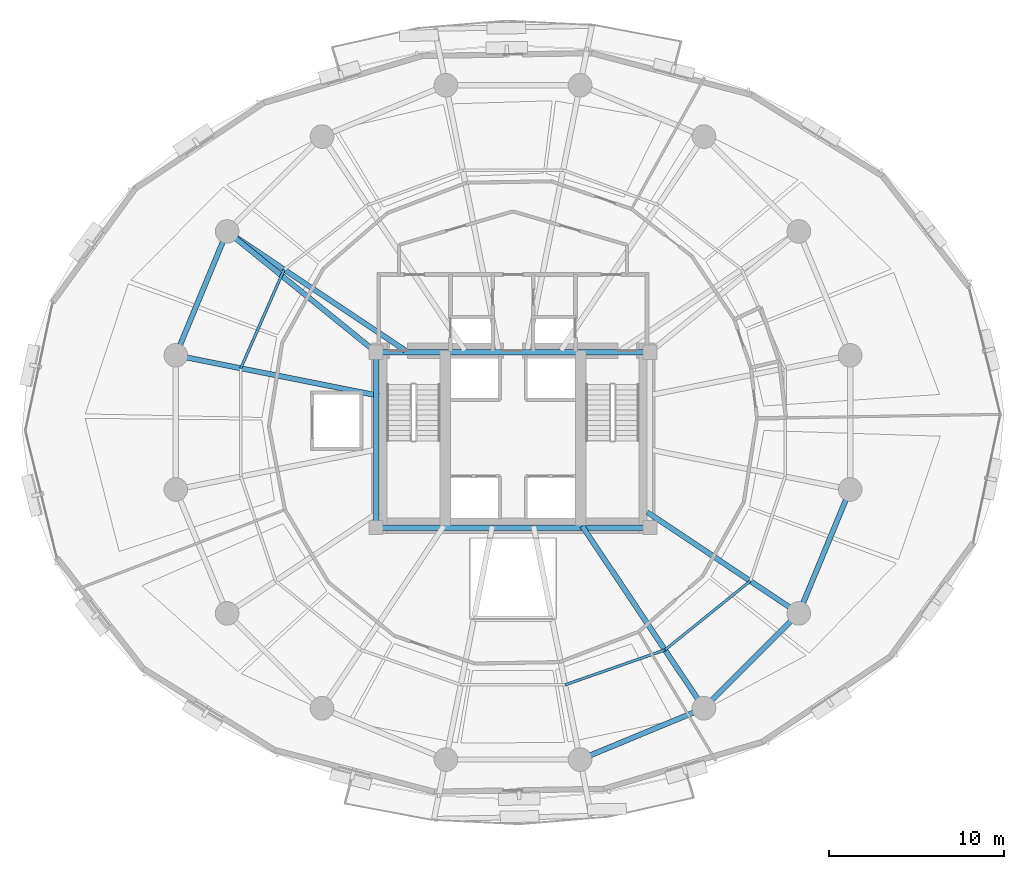
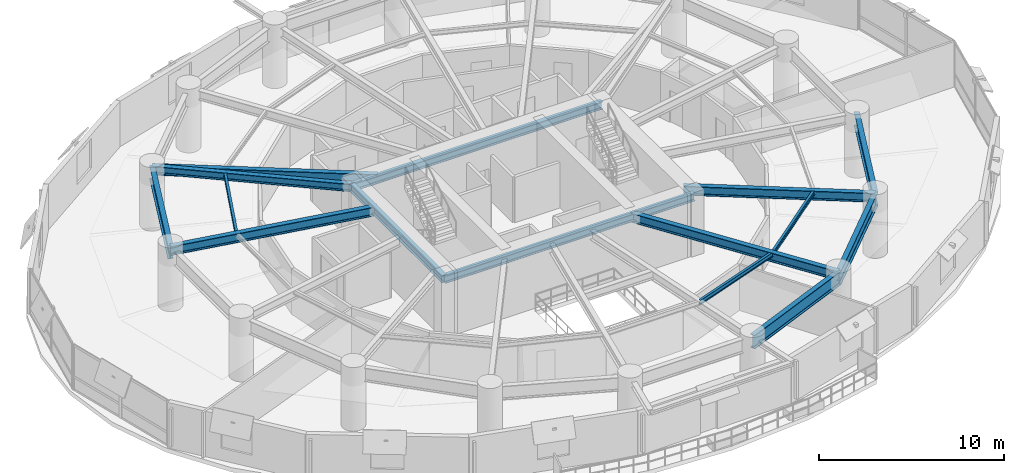
# One storey, part 7 of 17: 15 beams.
"""IFC4 building model written with IfcOpenShell, lengths in metres."""

from ifc_helpers import new_model, si_unit, direction, frame, origin, origin_2d, place, context, subcontext, project, spatial, i_section, extrude, material, material_profile, profile_set, type_object, element, save


model = new_model("IFC4")

# Units and contexts
model_context = context("Model", 3, precision=1e-05, world=origin(), true_north=direction((0.0, 1.0)))
body_context = subcontext(model_context, "Body", "Model", "MODEL_VIEW")
ifc_project = project(units=[si_unit("LENGTHUNIT", "METRE"), si_unit("AREAUNIT", "SQUARE_METRE"), si_unit("VOLUMEUNIT", "CUBIC_METRE"), si_unit("PLANEANGLEUNIT", "RADIAN"), si_unit("MASSUNIT", "GRAM", prefix="KILO"), si_unit("THERMODYNAMICTEMPERATUREUNIT", "KELVIN"), si_unit("POWERUNIT", "WATT")], contexts=[model_context])

# Site, building, storey
site_placement = place(None, origin())
site = spatial("IfcSite", under=ifc_project, at=site_placement, CompositionType="ELEMENT")
building_placement = place(site_placement, origin())
building = spatial("IfcBuilding", under=site, at=building_placement, Name="Ocrelia Relay Tower", CompositionType="ELEMENT")
storey_placement = place(building_placement, frame((0.0, 0.0, 34.199951171875)))
storey = spatial("IfcBuildingStorey", under=building, at=storey_placement, Name="L07", CompositionType="ELEMENT", Elevation=34.199951171875)

# Beams
ifc_material = material(Name="Steel S355", Category="steel")
ifc_material_profile_1 = material_profile(ifc_material, i_section(OverallWidth=0.300048828125, OverallDepth=0.5, WebThickness=0.014404296875, FlangeThickness=0.028076171875, FilletRadius=0.027099609375, at=origin_2d()), Name="HEB 500")
ifc_profile_set_1 = profile_set([ifc_material_profile_1], Name="Steel S355")
beam_type_1 = type_object("IfcBeamType", Name="BM-HEB500", PredefinedType="BEAM", material=ifc_profile_set_1)
for number, where, z_axis, x_axis, name in (
    (1, (26.199951171875, 20.0, 3.670166015625), (1.0, 0.0, 0.0), (0.0, 1.0, 0.0), "L07 Core Pilaster Tie Beam S"),
    (2, (26.199951171875, 30.0, 3.670166015625), (1.0, 0.0, 0.0), (0.0, 1.0, 0.0), "L07 Core Pilaster Tie Beam N"),
):
    element("IfcBeam", number, at=place(storey_placement, frame(where, z_axis=z_axis, x_axis=x_axis)), inside=storey, type_object=beam_type_1, Name=name, PredefinedType="BEAM", context=body_context, shape_type="SweptSolid", body=[
        extrude(i_section(OverallWidth=0.300048828125, OverallDepth=0.5, WebThickness=0.014404296875, FlangeThickness=0.028076171875, FilletRadius=0.027099609375, at=origin_2d()), origin(), (0.0, 0.0, 1.0), 15.60009765625),
    ])
beam_1_placement = place(storey_placement, frame((26.199951171875, 20.0, 3.670166015625), z_axis=(0.0, 1.0, 0.0), x_axis=(-1.0, 0.0, 0.0)))
element("IfcBeam", 3, at=beam_1_placement, inside=storey, type_object=beam_type_1, Name="L07 Core Pilaster Tie Beam W", PredefinedType="BEAM", context=body_context, shape_type="SweptSolid", body=[
    extrude(i_section(OverallWidth=0.300048828125, OverallDepth=0.5, WebThickness=0.014404296875, FlangeThickness=0.028076171875, FilletRadius=0.027099609375, at=origin_2d()), origin(), (0.0, 0.0, 1.0), 10.0),
])
beam_2_placement = place(storey_placement, frame((17.703125, 36.88916015625, 3.670166015625), z_axis=(0.776762830896, -0.629793223637, 0.0), x_axis=(0.629793223637, 0.776762830896, 0.0)))
element("IfcBeam", 4, at=beam_2_placement, inside=storey, type_object=beam_type_1, Name="L07 Core Pilaster Frame Tie Beam PT07", PredefinedType="BEAM", context=body_context, shape_type="SweptSolid", body=[
    extrude(i_section(OverallWidth=0.300048828125, OverallDepth=0.5, WebThickness=0.014404296875, FlangeThickness=0.028076171875, FilletRadius=0.027099609375, at=origin_2d()), origin(), (0.0, 0.0, 1.0), 10.938720703125),
])
ifc_material_profile_2 = material_profile(ifc_material, i_section(OverallWidth=0.300048828125, OverallDepth=0.60009765625, WebThickness=0.015380859375, FlangeThickness=0.030029296875, FilletRadius=0.027099609375, at=origin_2d()), Name="HEB 600")
ifc_profile_set_2 = profile_set([ifc_material_profile_2], Name="Steel S355")
beam_type_2 = type_object("IfcBeamType", Name="BM-HEB600", PredefinedType="BEAM", material=ifc_profile_set_2)
beam_3_placement = place(storey_placement, frame((17.703125, 36.88916015625, 3.6201171875), z_axis=(0.831471581268, -0.555567286243, 0.0), x_axis=(0.555567286243, 0.831471581268, 0.0)))
element("IfcBeam", 5, at=beam_3_placement, inside=storey, type_object=beam_type_2, Name="L07 Radial Floor Girder R07", PredefinedType="BEAM", context=body_context, shape_type="SweptSolid", body=[
    extrude(i_section(OverallWidth=0.300048828125, OverallDepth=0.60009765625, WebThickness=0.015380859375, FlangeThickness=0.030029296875, FilletRadius=0.027099609375, at=origin_2d()), origin(), (0.0, 0.0, 1.0), 12.211181640625),
])
beam_4_placement = place(storey_placement, frame((14.776611328125, 29.82373046875, 3.6201171875), z_axis=(0.980786938484, -0.195081986098, 0.0), x_axis=(0.195081986098, 0.980786938484, 0.0)))
element("IfcBeam", 6, at=beam_4_placement, inside=storey, type_object=beam_type_2, Name="L07 Radial Floor Girder R08", PredefinedType="BEAM", context=body_context, shape_type="SweptSolid", body=[
    extrude(i_section(OverallWidth=0.300048828125, OverallDepth=0.60009765625, WebThickness=0.015380859375, FlangeThickness=0.030029296875, FilletRadius=0.027099609375, at=origin_2d()), origin(), (0.0, 0.0, 1.0), 11.80517578125),
])
beam_5_placement = place(storey_placement, frame((44.88916015625, 9.703125, 3.6201171875), z_axis=(-0.555569912646, 0.831469826369, 0.0), x_axis=(-0.831469826369, -0.555569912646, 0.0)))
element("IfcBeam", 7, at=beam_5_placement, inside=storey, type_object=beam_type_2, Name="L07 Radial Floor Girder R14", PredefinedType="BEAM", context=body_context, shape_type="SweptSolid", body=[
    extrude(i_section(OverallWidth=0.300048828125, OverallDepth=0.60009765625, WebThickness=0.015380859375, FlangeThickness=0.030029296875, FilletRadius=0.027099609375, at=origin_2d()), origin(), (0.0, 0.0, 1.0), 12.498046875),
])
beam_6_placement = place(storey_placement, frame((50.296875, 15.11083984375, 3.6201171875), z_axis=(-0.831475246583, 0.555561800631, 0.0), x_axis=(-0.555561800631, -0.831475246583, 0.0)))
element("IfcBeam", 8, at=beam_6_placement, inside=storey, type_object=beam_type_2, Name="L07 Radial Floor Girder R15", PredefinedType="BEAM", context=body_context, shape_type="SweptSolid", body=[
    extrude(i_section(OverallWidth=0.300048828125, OverallDepth=0.60009765625, WebThickness=0.015380859375, FlangeThickness=0.030029296875, FilletRadius=0.027099609375, at=origin_2d()), origin(), (0.0, 0.0, 1.0), 10.393310546875),
])
ifc_material_profile_3 = material_profile(ifc_material, i_section(OverallWidth=0.300048828125, OverallDepth=0.89990234375, WebThickness=0.0185546875, FlangeThickness=0.034912109375, FilletRadius=0.030029296875, at=origin_2d()), Name="HEB 900")
ifc_profile_set_3 = profile_set([ifc_material_profile_3], Name="Steel S355")
beam_type_3 = type_object("IfcBeamType", Name="BM-HEB900", PredefinedType="BEAM", material=ifc_profile_set_3)
for number, where, z_axis, x_axis, name in (
    (9, (17.703125, 36.88916015625, 3.469970703125), (-0.382674154222, -0.923883375589, 0.0), (0.923883375589, -0.382674154222, 0.0), "L07 Perimeter Spandrel Beam S07"),
    (10, (37.82373046875, 6.776611328125, 3.469970703125), (0.923883375589, 0.382674154222, 0.0), (-0.382674154222, 0.923883375589, 0.0), "L07 Perimeter Spandrel Beam S13"),
):
    element("IfcBeam", number, at=place(storey_placement, frame(where, z_axis=z_axis, x_axis=x_axis)), inside=storey, type_object=beam_type_3, Name=name, PredefinedType="BEAM", context=body_context, shape_type="SweptSolid", body=[
        extrude(i_section(OverallWidth=0.300048828125, OverallDepth=0.89990234375, WebThickness=0.0185546875, FlangeThickness=0.034912109375, FilletRadius=0.030029296875, at=origin_2d()), origin(), (0.0, 0.0, 1.0), 7.6474609375),
    ])
beam_7_placement = place(storey_placement, frame((44.88916015625, 9.703125, 3.469970703125), z_axis=(0.707106781187, 0.707106781187, 0.0), x_axis=(-0.707106781187, 0.707106781187, 0.0)))
element("IfcBeam", 11, at=beam_7_placement, inside=storey, type_object=beam_type_3, Name="L07 Perimeter Spandrel Beam S14", PredefinedType="BEAM", context=body_context, shape_type="SweptSolid", body=[
    extrude(i_section(OverallWidth=0.300048828125, OverallDepth=0.89990234375, WebThickness=0.0185546875, FlangeThickness=0.034912109375, FilletRadius=0.030029296875, at=origin_2d()), origin(), (0.0, 0.0, 1.0), 7.647705078125),
])
beam_8_placement = place(storey_placement, frame((50.296875, 15.11083984375, 3.469970703125), z_axis=(0.382674154222, 0.923883375589, 0.0), x_axis=(-0.923883375589, 0.382674154222, 0.0)))
element("IfcBeam", 12, at=beam_8_placement, inside=storey, type_object=beam_type_3, Name="L07 Perimeter Spandrel Beam S15", PredefinedType="BEAM", context=body_context, shape_type="SweptSolid", body=[
    extrude(i_section(OverallWidth=0.300048828125, OverallDepth=0.89990234375, WebThickness=0.0185546875, FlangeThickness=0.034912109375, FilletRadius=0.030029296875, at=origin_2d()), origin(), (0.0, 0.0, 1.0), 7.6474609375),
])
ifc_material_profile_4 = material_profile(ifc_material, i_section(OverallWidth=0.14990234375, OverallDepth=0.300048828125, WebThickness=0.007080078125, FlangeThickness=0.0107421875, FilletRadius=0.014892578125, at=origin_2d()), Name="IPE 300")
ifc_profile_set_4 = profile_set([ifc_material_profile_4], Name="Steel S355")
beam_type_4 = type_object("IfcBeamType", Name="BM-IPE300", PredefinedType="JOIST", material=ifc_profile_set_4)
beam_9_placement = place(storey_placement, frame((20.9521484375, 34.71826171875, 3.77001953125), z_axis=(-0.401739185135, -0.915754130281, 0.0), x_axis=(0.915754130281, -0.401739185135, 0.0)))
element("IfcBeam", 13, at=beam_9_placement, inside=storey, type_object=beam_type_4, Name="L07 Secondary Floor Joist J07", PredefinedType="JOIST", context=body_context, shape_type="SweptSolid", body=[
    extrude(i_section(OverallWidth=0.14990234375, OverallDepth=0.300048828125, WebThickness=0.007080078125, FlangeThickness=0.0107421875, FilletRadius=0.014892578125, at=origin_2d()), origin(), (0.0, 0.0, 1.0), 6.1494140625),
])
beam_10_placement = place(storey_placement, frame((36.97607421875, 11.03857421875, 3.77001953125), z_axis=(0.943957429675, 0.330067221882, 0.0), x_axis=(-0.330067221882, 0.943957429675, 0.0)))
element("IfcBeam", 14, at=beam_10_placement, inside=storey, type_object=beam_type_4, Name="L07 Secondary Floor Joist J13", PredefinedType="JOIST", context=body_context, shape_type="SweptSolid", body=[
    extrude(i_section(OverallWidth=0.14990234375, OverallDepth=0.300048828125, WebThickness=0.007080078125, FlangeThickness=0.0107421875, FilletRadius=0.014892578125, at=origin_2d()), origin(), (0.0, 0.0, 1.0), 6.029052734375),
])
beam_11_placement = place(storey_placement, frame((42.667236328125, 13.028564453125, 3.77001953125), z_axis=(0.777854562422, 0.628444333031, 0.0), x_axis=(-0.628444333031, 0.777854562422, 0.0)))
element("IfcBeam", 15, at=beam_11_placement, inside=storey, type_object=beam_type_4, Name="L07 Secondary Floor Joist J14", PredefinedType="JOIST", context=body_context, shape_type="SweptSolid", body=[
    extrude(i_section(OverallWidth=0.14990234375, OverallDepth=0.300048828125, WebThickness=0.007080078125, FlangeThickness=0.0107421875, FilletRadius=0.014892578125, at=origin_2d()), origin(), (0.0, 0.0, 1.0), 6.25341796875),
])

save(model, "model.ifc")
